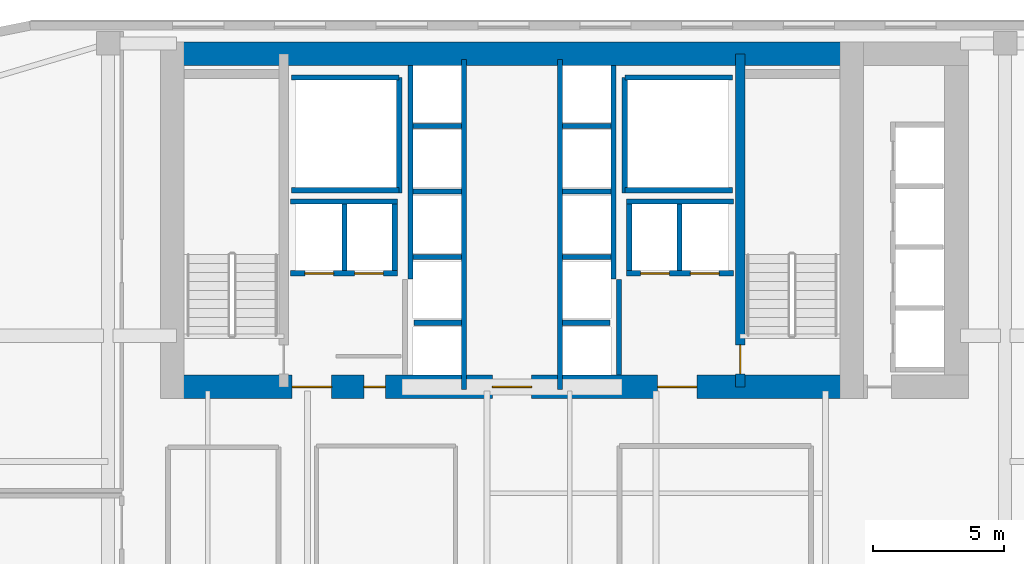
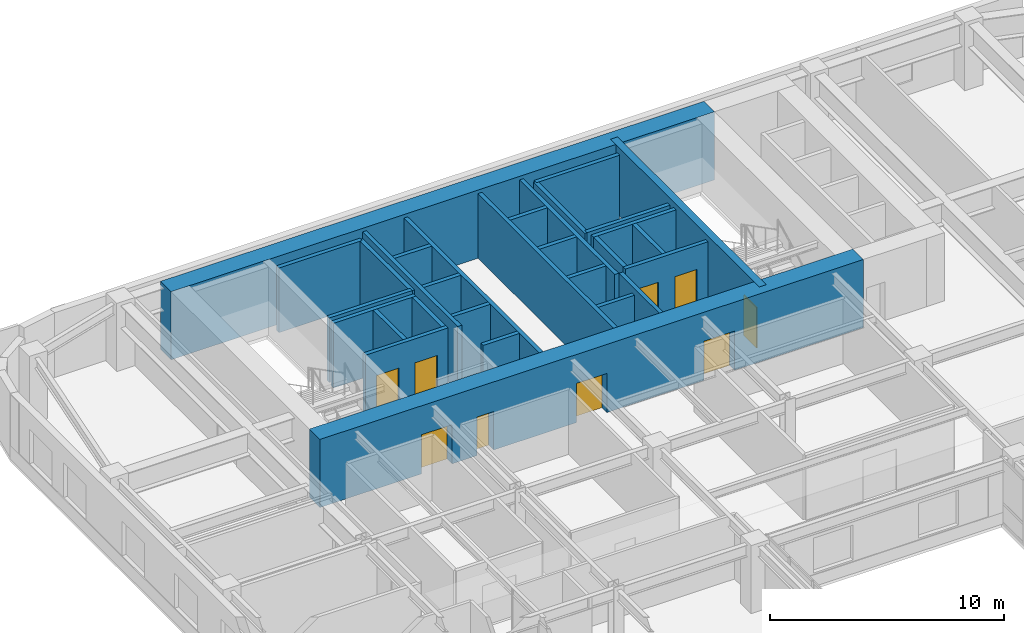
# One storey, part 17 of 24: 30 walls, 9 doors, 9 openings.
"""IFC4 building model written with IfcOpenShell, lengths in metres."""

import ifcopenshell
import ifcopenshell.guid

model = None  # the IFC model being written
_history = None  # IfcOwnerHistory: only IFC2X3 demands one
_inside = {}  # id of a spatial element -> (the spatial element, [elements in it])
_under = {}  # id of a project, library or spatial element -> (it, [spatial elements below it])
_declared = {}  # id of a project -> (the project, [libraries it declares])
_typed = {}  # id of a type object -> (the type object, [elements of that type])
_made_of = {}  # id of a material, layer set ... -> (it, [elements and type objects made of it])


def new_model(schema):
    """Start an empty IFC model of exactly this schema.

    Asked for "IFC4X3", IfcOpenShell would pick the latest addendum, in which some entities
    have other attributes; the version numbers below select the first issue.
    IFC2X3 requires an IfcOwnerHistory on every rooted entity: one is made here for all.
    """
    global model, _history
    if schema == "IFC4X3":
        model = ifcopenshell.file(schema_version=(4, 3, 0, 0))
    else:
        model = ifcopenshell.file(schema=schema)
    _inside.clear()
    _under.clear()
    _declared.clear()
    _typed.clear()
    _made_of.clear()
    _history = None
    if model.schema == "IFC2X3":
        org = make("IfcOrganization", Name="unknown")
        user = make(
            "IfcPersonAndOrganization",
            ThePerson=make("IfcPerson", FamilyName="unknown"),
            TheOrganization=org,
        )
        app = make(
            "IfcApplication",
            ApplicationDeveloper=org,
            Version="unknown",
            ApplicationFullName="unknown",
            ApplicationIdentifier="unknown",
        )
        _history = make(
            "IfcOwnerHistory",
            OwningUser=user,
            OwningApplication=app,
            ChangeAction="ADDED",
            CreationDate=0,
        )
    return model


def make(cls, **values):
    """One entity of the class cls with the attributes given. An attribute that is None is left unset."""
    return model.create_entity(
        cls, **{name: value for name, value in values.items() if value is not None}
    )


def rooted(cls, **values):
    """An entity with a GlobalId (a new one), such as an element, a storey or a relation."""
    return make(cls, GlobalId=ifcopenshell.guid.new(), OwnerHistory=_history, **values)


def si_unit(unit_type, name, prefix=None):
    """IfcSIUnit, for example si_unit("LENGTHUNIT", "METRE", prefix="MILLI")."""
    return make("IfcSIUnit", UnitType=unit_type, Prefix=prefix, Name=name)


def assignment(units):
    """IfcUnitAssignment: the units of a project."""
    return None if units is None else make("IfcUnitAssignment", Units=units)


def point(xyz):
    """IfcCartesianPoint."""
    return None if xyz is None else make("IfcCartesianPoint", Coordinates=xyz)


def direction(xyz):
    """IfcDirection."""
    return None if xyz is None else make("IfcDirection", DirectionRatios=xyz)


def frame(location, z_axis=None, x_axis=None):
    """IfcAxis2Placement3D, a coordinate frame: its origin and axes. An axis left out is left unset."""
    return make(
        "IfcAxis2Placement3D",
        Location=point(location),
        Axis=direction(z_axis),
        RefDirection=direction(x_axis),
    )


def frame_2d(location, x_axis=None):
    """IfcAxis2Placement2D, a coordinate frame in the plane: its origin and x axis."""
    return make(
        "IfcAxis2Placement2D", Location=point(location), RefDirection=direction(x_axis)
    )


def origin():
    """The frame at (0, 0, 0) with its axes left unset."""
    return frame((0.0, 0.0, 0.0))


def place(relative_to, where):
    """IfcLocalPlacement: puts the frame where relative to a parent placement (None: the world)."""
    return make(
        "IfcLocalPlacement", PlacementRelTo=relative_to, RelativePlacement=where
    )


def context(
    kind, dimensions, precision=None, world=None, true_north=None, identifier=None
):
    """IfcGeometricRepresentationContext, for example the 3D "Model" context."""
    return make(
        "IfcGeometricRepresentationContext",
        ContextIdentifier=identifier,
        ContextType=kind,
        CoordinateSpaceDimension=dimensions,
        Precision=precision,
        WorldCoordinateSystem=world,
        TrueNorth=true_north,
    )


def subcontext(parent, identifier, kind, view, scale=None):
    """IfcGeometricRepresentationSubContext, for example "Body" below "Model"."""
    return make(
        "IfcGeometricRepresentationSubContext",
        ContextIdentifier=identifier,
        ContextType=kind,
        ParentContext=parent,
        TargetScale=scale,
        TargetView=view,
    )


def project(units=None, contexts=None):
    """IfcProject with its units and contexts."""
    return rooted(
        "IfcProject",
        Name="project",
        RepresentationContexts=contexts,
        UnitsInContext=assignment(units),
    )


def spatial(cls, under=None, at=None, **own):
    """A site, building, storey or space (cls), placed at a placement, below another one or the project."""
    s = rooted(cls, ObjectPlacement=at, **own)
    if under is not None:
        _under.setdefault(under.id(), (under, []))[1].append(s)
    return s


def profile(cls, at=None, kind="AREA", **sizes):
    """A parametric profile (cls). Its sizes go by their IFC names, for example OverallWidth=200.0."""
    return make(cls, ProfileType=kind, Position=at, **sizes)


def rectangle(**sizes):
    """IfcRectangleProfileDef."""
    return profile("IfcRectangleProfileDef", **sizes)


def extrude(swept, where, along, depth):
    """IfcExtrudedAreaSolid: the profile swept, set in the frame where, extruded along a direction by depth."""
    return make(
        "IfcExtrudedAreaSolid",
        SweptArea=swept,
        Position=where,
        ExtrudedDirection=direction(along),
        Depth=depth,
    )


def shape(context_of_items, identifier, shape_type, items):
    """IfcShapeRepresentation: the items that make up one representation, for example the "Body"."""
    return make(
        "IfcShapeRepresentation",
        ContextOfItems=context_of_items,
        RepresentationIdentifier=identifier,
        RepresentationType=shape_type,
        Items=items,
    )


def source(mapping_origin, context_of_items, identifier, shape_type, items):
    """IfcRepresentationMap: a shape defined once, which mapped items show again and again."""
    return make(
        "IfcRepresentationMap",
        MappingOrigin=mapping_origin,
        MappedRepresentation=shape(context_of_items, identifier, shape_type, items),
    )


def transform(
    local_origin,
    x_axis=None,
    y_axis=None,
    z_axis=None,
    scale=None,
    scale2=None,
    scale3=None,
    uniform=True,
):
    """IfcCartesianTransformationOperator3D, or its non-uniform kind. x_axis, y_axis, z_axis: its Axis1, 2, 3."""
    if uniform:
        return make(
            "IfcCartesianTransformationOperator3D",
            Axis1=direction(x_axis),
            Axis2=direction(y_axis),
            LocalOrigin=point(local_origin),
            Scale=scale,
            Axis3=direction(z_axis),
        )
    return make(
        "IfcCartesianTransformationOperator3DnonUniform",
        Axis1=direction(x_axis),
        Axis2=direction(y_axis),
        LocalOrigin=point(local_origin),
        Scale=scale,
        Axis3=direction(z_axis),
        Scale2=scale2,
        Scale3=scale3,
    )


def mapped(mapping_source, mapping_target):
    """IfcMappedItem: shows the shape of a source again, moved by a transform."""
    return make(
        "IfcMappedItem", MappingSource=mapping_source, MappingTarget=mapping_target
    )


def material(Name=None, Category=None):
    """IfcMaterial."""
    return make("IfcMaterial", Name=Name, Category=Category)


def layer(
    of_material, thickness, ventilated=None, Name=None, Category=None, Priority=None
):
    """IfcMaterialLayer: one layer of a wall or slab, of a material (None: an air gap)."""
    return make(
        "IfcMaterialLayer",
        Material=of_material,
        LayerThickness=thickness,
        IsVentilated=ventilated,
        Name=Name,
        Category=Category,
        Priority=Priority,
    )


def layer_set(layers, Name=None):
    """IfcMaterialLayerSet."""
    return make("IfcMaterialLayerSet", MaterialLayers=layers, LayerSetName=Name)


def made_of(thing, what):
    """Note that an element or type object is made of a material, layer set ...; save() writes the relation."""
    if what is not None:
        _made_of.setdefault(what.id(), (what, []))[1].append(thing)
    return thing


def type_object(cls, material=None, **own):
    """A type object (cls), such as IfcWallType, which elements share."""
    return made_of(rooted(cls, **own), material)


def type_shapes(of_type, sources):
    """Give a type object the sources (RepresentationMaps) that its elements show as mapped items."""
    of_type.RepresentationMaps = sources


def element(
    cls,
    number,
    at=None,
    inside=None,
    cuts=None,
    type_object=None,
    material=None,
    context=None,
    identifier="Body",
    shape_type=None,
    held_by="IfcProductDefinitionShape",
    body=None,
    shapes=None,
    **own,
):
    """One element of the class cls, such as IfcWall. Its Tag is "e" and its number.

    at: its placement. inside: the storey or other place that contains it. cuts: it is an
    opening in that element (IfcRelVoidsElement). A single representation is given by context,
    identifier, shape_type and body (its items); several are given by shapes. held_by: the class
    of the entity that holds the representations. save() writes the other relations.
    """
    e = rooted(cls, Tag="e%d" % number, ObjectPlacement=at, **own)
    if body is not None:
        shapes = [shape(context, identifier, shape_type, body)]
    if shapes is not None:
        e.Representation = make(held_by, Representations=shapes)
    if inside is not None:
        _inside.setdefault(inside.id(), (inside, []))[1].append(e)
    if cuts is not None:
        rooted(
            "IfcRelVoidsElement", RelatingBuildingElement=cuts, RelatedOpeningElement=e
        )
    if type_object is not None:
        _typed.setdefault(type_object.id(), (type_object, []))[1].append(e)
    return made_of(e, material)


def fill(opening, filler):
    """IfcRelFillsElement: the door or window that sits in an opening."""
    return rooted(
        "IfcRelFillsElement",
        RelatingOpeningElement=opening,
        RelatedBuildingElement=filler,
    )


def aggregate(whole, parts):
    """IfcRelAggregates: a whole, such as a stair, and the parts it consists of."""
    return rooted("IfcRelAggregates", RelatingObject=whole, RelatedObjects=parts)


def save(model, path):
    """Write the relations noted so far, then the file.

    IfcRelAggregates (storeys below a building ...), IfcRelContainedInSpatialStructure (elements
    in a storey), IfcRelDefinesByType, IfcRelAssociatesMaterial and IfcRelDeclares: one each for
    every whole, place, type object, material and project.
    """
    for whole, parts in _under.values():
        aggregate(whole, parts)
    for where, things in _inside.values():
        rooted(
            "IfcRelContainedInSpatialStructure",
            RelatedElements=things,
            RelatingStructure=where,
        )
    for kind, things in _typed.values():
        rooted("IfcRelDefinesByType", RelatedObjects=things, RelatingType=kind)
    for what, things in _made_of.values():
        rooted("IfcRelAssociatesMaterial", RelatedObjects=things, RelatingMaterial=what)
    for by, libraries in _declared.values():
        rooted("IfcRelDeclares", RelatingContext=by, RelatedDefinitions=libraries)
    model.write(path)


model = new_model("IFC4")

# Units and contexts
model_context = context("Model", 3, precision=1e-05, world=origin(), true_north=direction((0.0, 1.0)))
body_context = subcontext(model_context, "Body", "Model", "MODEL_VIEW")
ifc_project = project(units=[si_unit("LENGTHUNIT", "METRE"), si_unit("AREAUNIT", "SQUARE_METRE"), si_unit("VOLUMEUNIT", "CUBIC_METRE"), si_unit("PLANEANGLEUNIT", "RADIAN"), si_unit("MASSUNIT", "GRAM", prefix="KILO")], contexts=[model_context])

# Site, building, storey
site_placement = place(None, origin())
site = spatial("IfcSite", under=ifc_project, at=site_placement, CompositionType="ELEMENT")
building_placement = place(site_placement, origin())
building = spatial("IfcBuilding", under=site, at=building_placement, Name="Tolvann Quenvar Hotel", CompositionType="ELEMENT")
storey_placement = place(building_placement, frame((0.0, 0.0, 88.800048828125)))
storey = spatial("IfcBuildingStorey", under=building, at=storey_placement, Name="L22", CompositionType="ELEMENT", Elevation=88.800048828125)

# Wall, openings, doors
ifc_material_1 = material(Name="Concrete S80 (80 MPa)", Category="concrete")
ifc_layer_1 = layer(ifc_material_1, 0.89990234375)
ifc_layer_set_1 = layer_set([ifc_layer_1], Name="Concrete S80 (80 MPa)")
wall_type_1 = type_object("IfcWallType", Name="WALL_CORE_900", PredefinedType="SHEAR", material=ifc_layer_set_1)
wall_1_placement = place(storey_placement, frame((9.60009765625, 32.050048828125, 0.0), z_axis=(0.0, 0.0, 1.0), x_axis=(1.0, 0.0, 0.0)))
wall_1 = element("IfcWall", 1, at=wall_1_placement, inside=storey, type_object=wall_type_1, Name="Rear Core S Shear Wall (L22)", PredefinedType="SHEAR", context=body_context, shape_type="SweptSolid", body=[
    extrude(rectangle(XDim=26.7998046875, YDim=0.89990234375, at=frame_2d((13.39990234375, 0.0))), origin(), (0.0, 0.0, 1.0), 3.550048828125),
])
opening_1_placement = place(wall_1_placement, frame((6.52001953125, 0.0, 0.0), z_axis=(0.0, 0.0, 1.0), x_axis=(-1.0, 0.0, 0.0)))
opening_1 = element("IfcOpeningElement", 2, at=opening_1_placement, cuts=wall_1, Name="Opening FD-60D", PredefinedType="OPENING", context=body_context, shape_type="SweptSolid", body=[
    extrude(rectangle(XDim=1.5, YDim=2.0400390625, at=frame_2d((0.75, 1.02001953125))), frame((0.0, 0.4599609375, 0.0), z_axis=(0.0, -1.0, 0.0), x_axis=(1.0, 0.0, 0.0)), (0.0, 0.0, 1.0), 0.919921875),
])
opening_2_placement = place(wall_1_placement, frame((14.14990234375, 0.0, 0.0), z_axis=(0.0, 0.0, 1.0), x_axis=(-1.0, 0.0, 0.0)))
opening_2 = element("IfcOpeningElement", 3, at=opening_2_placement, cuts=wall_1, Name="Opening FD-60D", PredefinedType="OPENING", context=body_context, shape_type="SweptSolid", body=[
    extrude(rectangle(XDim=1.5, YDim=2.0400390625, at=frame_2d((0.75, 1.02001953125))), frame((0.0, 0.4599609375, 0.0), z_axis=(0.0, -1.0, 0.0), x_axis=(1.0, 0.0, 0.0)), (0.0, 0.0, 1.0), 0.919921875),
])
opening_3_placement = place(wall_1_placement, frame((20.449951171875, 0.0, 0.0), z_axis=(0.0, 0.0, 1.0), x_axis=(-1.0, 0.0, 0.0)))
opening_3 = element("IfcOpeningElement", 4, at=opening_3_placement, cuts=wall_1, Name="Opening FD-60D", PredefinedType="OPENING", context=body_context, shape_type="SweptSolid", body=[
    extrude(rectangle(XDim=1.5, YDim=2.0400390625, at=frame_2d((0.75, 1.02001953125))), frame((0.0, 0.4599609375, 0.0), z_axis=(0.0, -1.0, 0.0), x_axis=(1.0, 0.0, 0.0)), (0.0, 0.0, 1.0), 0.919921875),
])
opening_4_placement = place(wall_1_placement, frame((8.570068359375, 0.0, 0.0), z_axis=(0.0, 0.0, 1.0), x_axis=(-1.0, 0.0, 0.0)))
opening_4 = element("IfcOpeningElement", 5, at=opening_4_placement, cuts=wall_1, Name="Opening HD-02", PredefinedType="OPENING", context=body_context, shape_type="SweptSolid", body=[
    extrude(rectangle(XDim=0.820068359375, YDim=2.010009765625, at=frame_2d((0.41015625, 1.0048828125))), frame((0.0, 0.4599609375, 0.0), z_axis=(0.0, -1.0, 0.0), x_axis=(1.0, 0.0, 0.0)), (0.0, 0.0, 1.0), 0.919921875),
])
ifc_material_2 = material(Name="Solid-core American oak acoustic fire door leaf in steel frame", Category="steel")
door_type_1 = type_object("IfcDoorType", Name="DOOR_FIRE_LOBBY_1500", OperationType="NOTDEFINED", PredefinedType="DOOR", material=ifc_material_2)
shared_shape_1 = source(origin(), body_context, "Body", "SweptSolid", [
    extrude(rectangle(XDim=1.5, YDim=2.0400390625, at=frame_2d((0.75, 1.02001953125))), frame((0.0, 0.02490234375, 0.0), z_axis=(0.0, -1.0, 0.0), x_axis=(1.0, 0.0, 0.0)), (0.0, 0.0, 1.0), 0.050048828125),
])
type_shapes(door_type_1, [shared_shape_1])
door_1_placement = place(opening_1_placement, origin())
door_1 = element("IfcDoor", 6, at=door_1_placement, inside=storey, type_object=door_type_1, Name="Core Lobby Fire Door FFW (L22)", OperationType="DOUBLE_DOOR_SINGLE_SWING", OverallHeight=2.0400390625, OverallWidth=1.5, PredefinedType="DOOR", context=body_context, shape_type="MappedRepresentation", body=[
    mapped(shared_shape_1, transform((0.0, 0.0, 0.0), x_axis=(1.0, 0.0, 0.0), y_axis=(0.0, 1.0, 0.0), z_axis=(0.0, 0.0, 1.0), scale=1.0)),
])
fill(opening_1, door_1)
door_2_placement = place(opening_2_placement, origin())
door_2 = element("IfcDoor", 7, at=door_2_placement, inside=storey, type_object=door_type_1, Name="Core Lobby Fire Door CLOB (L22)", OperationType="DOUBLE_DOOR_SINGLE_SWING", OverallHeight=2.0400390625, OverallWidth=1.5, PredefinedType="DOOR", context=body_context, shape_type="MappedRepresentation", body=[
    mapped(shared_shape_1, transform((0.0, 0.0, 0.0), x_axis=(1.0, 0.0, 0.0), y_axis=(0.0, 1.0, 0.0), z_axis=(0.0, 0.0, 1.0), scale=1.0)),
])
fill(opening_2, door_2)
door_3_placement = place(opening_3_placement, origin())
door_3 = element("IfcDoor", 8, at=door_3_placement, inside=storey, type_object=door_type_1, Name="Core Lobby Fire Door FFE (L22)", OperationType="DOUBLE_DOOR_SINGLE_SWING", OverallHeight=2.0400390625, OverallWidth=1.5, PredefinedType="DOOR", context=body_context, shape_type="MappedRepresentation", body=[
    mapped(shared_shape_1, transform((0.0, 0.0, 0.0), x_axis=(1.0, 0.0, 0.0), y_axis=(0.0, 1.0, 0.0), z_axis=(0.0, 0.0, 1.0), scale=1.0)),
])
fill(opening_3, door_3)
ifc_material_3 = material(Name="Pressed galvanised steel fire-rated door set", Category="steel")
door_type_2 = type_object("IfcDoorType", Name="DOOR_STORE_820", OperationType="NOTDEFINED", PredefinedType="DOOR", material=ifc_material_3)
shared_shape_2 = source(origin(), body_context, "Body", "SweptSolid", [
    extrude(rectangle(XDim=0.820068359375, YDim=2.010009765625, at=frame_2d((0.41015625, 1.0048828125))), frame((0.0, 0.02490234375, 0.0), z_axis=(0.0, -1.0, 0.0), x_axis=(1.0, 0.0, 0.0)), (0.0, 0.0, 1.0), 0.050048828125),
])
type_shapes(door_type_2, [shared_shape_2])
door_4_placement = place(opening_4_placement, origin())
door_4 = element("IfcDoor", 9, at=door_4_placement, inside=storey, type_object=door_type_2, Name="Core Linen Store Fire Door (L22)", OperationType="SINGLE_SWING_RIGHT", OverallHeight=2.010009765625, OverallWidth=0.820068359375, PredefinedType="DOOR", context=body_context, shape_type="MappedRepresentation", body=[
    mapped(shared_shape_2, transform((0.0, 0.0, 0.0), x_axis=(1.0, 0.0, 0.0), y_axis=(0.0, 1.0, 0.0), z_axis=(0.0, 0.0, 1.0), scale=1.0)),
])
fill(opening_4, door_4)

# Wall
wall_2_placement = place(storey_placement, frame((9.60009765625, 44.75, 0.0), z_axis=(0.0, 0.0, 1.0), x_axis=(1.0, 0.0, 0.0)))
element("IfcWall", 10, at=wall_2_placement, inside=storey, type_object=wall_type_1, Name="Rear Core N Shear Wall (L22)", PredefinedType="SHEAR", context=body_context, shape_type="SweptSolid", body=[
    extrude(rectangle(XDim=26.7998046875, YDim=0.89990234375, at=frame_2d((13.39990234375, 0.0))), origin(), (0.0, 0.0, 1.0), 3.550048828125),
])

# Wall, opening, door
ifc_material_4 = material(Name="Concrete S65 (65 MPa)", Category="concrete")
ifc_layer_2 = layer(ifc_material_4, 0.35009765625)
ifc_layer_set_2 = layer_set([ifc_layer_2], Name="Concrete S65 (65 MPa)")
wall_type_2 = type_object("IfcWallType", Name="WALL_CORE_INT_350", PredefinedType="SHEAR", material=ifc_layer_set_2)
wall_3_placement = place(storey_placement, frame((31.699951171875, 32.050048828125, 0.0), z_axis=(0.0, 0.0, 1.0), x_axis=(0.0, 1.0, 0.0)))
wall_3 = element("IfcWall", 11, at=wall_3_placement, inside=storey, type_object=wall_type_2, Name="Core Internal Web Shear Wall WEB-E (L22)", PredefinedType="SHEAR", context=body_context, shape_type="SweptSolid", body=[
    extrude(rectangle(XDim=12.699951171875, YDim=0.35009765625, at=frame_2d((6.35009765625, 0.0))), origin(), (0.0, 0.0, 1.0), 3.550048828125),
])
opening_5_placement = place(wall_3_placement, frame((1.60009765625, 0.0, 0.0), z_axis=(0.0, 0.0, 1.0), x_axis=(-1.0, 0.0, 0.0)))
opening_5 = element("IfcOpeningElement", 12, at=opening_5_placement, cuts=wall_3, Name="Opening FD-120", PredefinedType="OPENING", context=body_context, shape_type="SweptSolid", body=[
    extrude(rectangle(XDim=1.10009765625, YDim=2.1201171875, at=frame_2d((0.550048828125, 1.06005859375))), frame((0.0, 0.18505859375, 0.0), z_axis=(0.0, -1.0, 0.0), x_axis=(1.0, 0.0, 0.0)), (0.0, 0.0, 1.0), 0.3701171875),
])
door_type_3 = type_object("IfcDoorType", Name="DOOR_FIRE_STAIR_1100", OperationType="NOTDEFINED", PredefinedType="DOOR", material=ifc_material_3)
shared_shape_3 = source(origin(), body_context, "Body", "SweptSolid", [
    extrude(rectangle(XDim=1.10009765625, YDim=2.1201171875, at=frame_2d((0.550048828125, 1.06005859375))), frame((0.0, 0.02490234375, 0.0), z_axis=(0.0, -1.0, 0.0), x_axis=(1.0, 0.0, 0.0)), (0.0, 0.0, 1.0), 0.050048828125),
])
type_shapes(door_type_3, [shared_shape_3])
door_5_placement = place(opening_5_placement, origin())
door_5 = element("IfcDoor", 13, at=door_5_placement, inside=storey, type_object=door_type_3, Name="Exit Stair ST-C2 Fire Door (L22)", OperationType="SINGLE_SWING_LEFT", OverallHeight=2.1201171875, OverallWidth=1.10009765625, PredefinedType="DOOR", context=body_context, shape_type="MappedRepresentation", body=[
    mapped(shared_shape_3, transform((0.0, 0.0, 0.0), x_axis=(1.0, 0.0, 0.0), y_axis=(0.0, 1.0, 0.0), z_axis=(0.0, 0.0, 1.0), scale=1.0)),
])
fill(opening_5, door_5)

# Walls
ifc_material_5 = material(Name="Concrete N40 (40 MPa)", Category="concrete")
ifc_layer_3 = layer(ifc_material_5, 0.199951171875)
ifc_layer_set_3 = layer_set([ifc_layer_3], Name="Concrete N40 (40 MPa)")
wall_type_3 = type_object("IfcWallType", Name="WALL_SHAFT_200", PredefinedType="SOLIDWALL", material=ifc_layer_set_3)
wall_4_placement = place(storey_placement, frame((18.699951171875, 39.449951171875, 0.0), z_axis=(0.0, 0.0, 1.0), x_axis=(0.0, 1.0, 0.0)))
element("IfcWall", 14, at=wall_4_placement, inside=storey, type_object=wall_type_3, Name="Service Riser W Shaft Wall IN (L22)", PredefinedType="SOLIDWALL", context=body_context, shape_type="SweptSolid", body=[
    extrude(rectangle(XDim=4.400146484375, YDim=0.199951171875, at=frame_2d((2.2001953125, 0.0))), origin(), (0.0, 0.0, 1.0), 3.369873046875),
])
for number, where, z_axis, x_axis, name in (
    (15, (14.60009765625, 39.550048828125, 0.0), (0.0, 0.0, 1.0), (1.0, 0.0, 0.0), "Service Riser W Shaft Wall S (L22)"),
    (16, (14.60009765625, 43.85009765625, 0.0), (0.0, 0.0, 1.0), (1.0, 0.0, 0.0), "Service Riser W Shaft Wall N (L22)"),
):
    element("IfcWall", number, at=place(storey_placement, frame(where, z_axis=z_axis, x_axis=x_axis)), inside=storey, type_object=wall_type_3, Name=name, PredefinedType="SOLIDWALL", context=body_context, shape_type="SweptSolid", body=[
        extrude(rectangle(XDim=4.099853515625, YDim=0.199951171875, at=frame_2d((2.0498046875, 0.0))), origin(), (0.0, 0.0, 1.0), 3.369873046875),
    ])
wall_5_placement = place(storey_placement, frame((27.300048828125, 39.449951171875, 0.0), z_axis=(0.0, 0.0, 1.0), x_axis=(0.0, 1.0, 0.0)))
element("IfcWall", 17, at=wall_5_placement, inside=storey, type_object=wall_type_3, Name="Service Riser E Shaft Wall IN (L22)", PredefinedType="SOLIDWALL", context=body_context, shape_type="SweptSolid", body=[
    extrude(rectangle(XDim=4.400146484375, YDim=0.199951171875, at=frame_2d((2.2001953125, 0.0))), origin(), (0.0, 0.0, 1.0), 3.369873046875),
])
for number, where, z_axis, x_axis, name in (
    (18, (27.300048828125, 39.550048828125, 0.0), (0.0, 0.0, 1.0), (1.0, 0.0, 0.0), "Service Riser E Shaft Wall S (L22)"),
    (19, (27.300048828125, 43.85009765625, 0.0), (0.0, 0.0, 1.0), (1.0, 0.0, 0.0), "Service Riser E Shaft Wall N (L22)"),
):
    element("IfcWall", number, at=place(storey_placement, frame(where, z_axis=z_axis, x_axis=x_axis)), inside=storey, type_object=wall_type_3, Name=name, PredefinedType="SOLIDWALL", context=body_context, shape_type="SweptSolid", body=[
        extrude(rectangle(XDim=4.099853515625, YDim=0.199951171875, at=frame_2d((2.0498046875, 0.0))), origin(), (0.0, 0.0, 1.0), 3.369873046875),
    ])
wall_6_placement = place(storey_placement, frame((27.080078125, 32.50390625, 0.0), z_axis=(0.0, 0.0, 1.0), x_axis=(0.0, 1.0, 0.0)))
element("IfcWall", 20, at=wall_6_placement, inside=storey, type_object=wall_type_3, Name="Firefighting Lobby E Inner Fire Wall (L22)", PredefinedType="SOLIDWALL", context=body_context, shape_type="SweptSolid", body=[
    extrude(rectangle(XDim=3.64599609375, YDim=0.199951171875, at=frame_2d((1.822998046875, 0.0))), origin(), (0.0, 0.0, 1.0), 3.369873046875),
])
wall_7_placement = place(storey_placement, frame((21.169921875, 31.9599609375, 0.0), z_axis=(0.0, 0.0, 1.0), x_axis=(0.0, 1.0, 0.0)))
element("IfcWall", 21, at=wall_7_placement, inside=storey, type_object=wall_type_3, Name="Lift Bank E21.1C1 Hoistway Front Wall (L22)", PredefinedType="SOLIDWALL", context=body_context, shape_type="SweptSolid", body=[
    extrude(rectangle(XDim=12.580078125, YDim=0.199951171875, at=frame_2d((6.2900390625, 0.0))), origin(), (0.0, 0.0, 1.0), 3.369873046875),
])
wall_8_placement = place(storey_placement, frame((19.1298828125, 36.159912109375, 0.0), z_axis=(0.0, 0.0, 1.0), x_axis=(0.0, 1.0, 0.0)))
element("IfcWall", 22, at=wall_8_placement, inside=storey, type_object=wall_type_3, Name="Lift Bank E21.1C1 Hoistway Rear Wall (L22)", PredefinedType="SOLIDWALL", context=body_context, shape_type="SweptSolid", body=[
    extrude(rectangle(XDim=8.135986328125, YDim=0.199951171875, at=frame_2d((4.06787109375, 0.0))), origin(), (0.0, 0.0, 1.0), 3.369873046875),
])
wall_9_placement = place(storey_placement, frame((19.27001953125, 34.5, 0.0), z_axis=(0.0, 0.0, 1.0), x_axis=(1.0, 0.0, 0.0)))
element("IfcWall", 23, at=wall_9_placement, inside=storey, type_object=wall_type_3, Name="Lift Bank E21.1C1 Divider Wall 1 (L22)", PredefinedType="SOLIDWALL", context=body_context, shape_type="SweptSolid", body=[
    extrude(rectangle(XDim=1.800048828125, YDim=0.199951171875, at=frame_2d((0.89990234375, 0.0))), origin(), (0.0, 0.0, 1.0), 3.369873046875),
])
for number, where, z_axis, x_axis, name in (
    (24, (19.22998046875, 37.0, 0.0), (0.0, 0.0, 1.0), (1.0, 0.0, 0.0), "Lift Bank E21.1C1 Divider Wall 2 (L22)"),
    (25, (19.22998046875, 39.5, 0.0), (0.0, 0.0, 1.0), (1.0, 0.0, 0.0), "Lift Bank E21.1C1 Divider Wall 3 (L22)"),
    (26, (19.22998046875, 42.0, 0.0), (0.0, 0.0, 1.0), (1.0, 0.0, 0.0), "Lift Bank E21.1C1 Divider Wall 4 (L22)"),
):
    element("IfcWall", number, at=place(storey_placement, frame(where, z_axis=z_axis, x_axis=x_axis)), inside=storey, type_object=wall_type_3, Name=name, PredefinedType="SOLIDWALL", context=body_context, shape_type="SweptSolid", body=[
        extrude(rectangle(XDim=1.840087890625, YDim=0.199951171875, at=frame_2d((0.919921875, 0.0))), origin(), (0.0, 0.0, 1.0), 3.369873046875),
    ])

# Wall, openings, doors
wall_10_placement = place(storey_placement, frame((27.375, 36.3798828125, 0.0), z_axis=(0.0, 0.0, 1.0), x_axis=(1.0, 0.0, 0.0)))
wall_10 = element("IfcWall", 27, at=wall_10_placement, inside=storey, type_object=wall_type_3, Name="Lift Bank SEC1 Hoistway Front Wall (L22)", PredefinedType="SOLIDWALL", context=body_context, shape_type="SweptSolid", body=[
    extrude(rectangle(XDim=4.074951171875, YDim=0.199951171875, at=frame_2d((2.03759765625, 0.0))), origin(), (0.0, 0.0, 1.0), 3.369873046875),
])
opening_6_placement = place(wall_10_placement, frame((0.52490234375, 0.0, 0.0)))
opening_6 = element("IfcOpeningElement", 28, at=opening_6_placement, cuts=wall_10, Name="Opening LD-01", PredefinedType="OPENING", context=body_context, shape_type="SweptSolid", body=[
    extrude(rectangle(XDim=1.10009765625, YDim=2.1201171875, at=frame_2d((0.550048828125, 1.06005859375))), frame((0.0, 0.10986328125, 0.0), z_axis=(0.0, -1.0, 0.0), x_axis=(1.0, 0.0, 0.0)), (0.0, 0.0, 1.0), 0.219970703125),
])
opening_7_placement = place(wall_10_placement, frame((2.425048828125, 0.0, 0.0)))
opening_7 = element("IfcOpeningElement", 29, at=opening_7_placement, cuts=wall_10, Name="Opening LD-01", PredefinedType="OPENING", context=body_context, shape_type="SweptSolid", body=[
    extrude(rectangle(XDim=1.10009765625, YDim=2.1201171875, at=frame_2d((0.550048828125, 1.06005859375))), frame((0.0, 0.10986328125, 0.0), z_axis=(0.0, -1.0, 0.0), x_axis=(1.0, 0.0, 0.0)), (0.0, 0.0, 1.0), 0.219970703125),
])
ifc_material_6 = material(Name="Brushed 316 stainless steel automatic sliding lift landing door", Category="steel")
door_type_4 = type_object("IfcDoorType", Name="DOOR_LIFT_SLIDE_1100", OperationType="NOTDEFINED", PredefinedType="DOOR", material=ifc_material_6)
shared_shape_4 = source(origin(), body_context, "Body", "SweptSolid", [
    extrude(rectangle(XDim=1.10009765625, YDim=2.1201171875, at=frame_2d((0.550048828125, 1.06005859375))), frame((0.0, 0.02490234375, 0.0), z_axis=(0.0, -1.0, 0.0), x_axis=(1.0, 0.0, 0.0)), (0.0, 0.0, 1.0), 0.050048828125),
])
type_shapes(door_type_4, [shared_shape_4])
door_6_placement = place(opening_6_placement, origin())
door_6 = element("IfcDoor", 30, at=door_6_placement, inside=storey, type_object=door_type_4, Name="Lift SV-2 Sliding Landing Door (L22)", OperationType="SLIDING_TO_LEFT", OverallHeight=2.1201171875, OverallWidth=1.10009765625, PredefinedType="DOOR", context=body_context, shape_type="MappedRepresentation", body=[
    mapped(shared_shape_4, transform((0.0, 0.0, 0.0), x_axis=(1.0, 0.0, 0.0), y_axis=(0.0, 1.0, 0.0), z_axis=(0.0, 0.0, 1.0), scale=1.0)),
])
fill(opening_6, door_6)
door_7_placement = place(opening_7_placement, origin())
door_7 = element("IfcDoor", 31, at=door_7_placement, inside=storey, type_object=door_type_4, Name="Lift FF-2 Sliding Landing Door (L22)", OperationType="SLIDING_TO_RIGHT", OverallHeight=2.1201171875, OverallWidth=1.10009765625, PredefinedType="DOOR", context=body_context, shape_type="MappedRepresentation", body=[
    mapped(shared_shape_4, transform((0.0, 0.0, 0.0), x_axis=(1.0, 0.0, 0.0), y_axis=(0.0, 1.0, 0.0), z_axis=(0.0, 0.0, 1.0), scale=1.0)),
])
fill(opening_7, door_7)

# Walls
wall_11_placement = place(storey_placement, frame((27.375, 39.1201171875, 0.0), z_axis=(0.0, 0.0, 1.0), x_axis=(1.0, 0.0, 0.0)))
element("IfcWall", 32, at=wall_11_placement, inside=storey, type_object=wall_type_3, Name="Lift Bank SEC1 Hoistway Rear Wall (L22)", PredefinedType="SOLIDWALL", context=body_context, shape_type="SweptSolid", body=[
    extrude(rectangle(XDim=4.074951171875, YDim=0.199951171875, at=frame_2d((2.03759765625, 0.0))), origin(), (0.0, 0.0, 1.0), 3.369873046875),
])
for number, where, z_axis, x_axis, name in (
    (33, (27.47509765625, 36.47998046875, 0.0), (0.0, 0.0, 1.0), (0.0, 1.0, 0.0), "Lift Bank SEC1 Hoistway Cheek Wall 1 (L22)"),
    (34, (29.387451171875, 36.47998046875, 0.0), (0.0, 0.0, 1.0), (0.0, 1.0, 0.0), "Lift Bank SEC1 Divider Wall 1 (L22)"),
):
    element("IfcWall", number, at=place(storey_placement, frame(where, z_axis=z_axis, x_axis=x_axis)), inside=storey, type_object=wall_type_3, Name=name, PredefinedType="SOLIDWALL", context=body_context, shape_type="SweptSolid", body=[
        extrude(rectangle(XDim=2.5400390625, YDim=0.199951171875, at=frame_2d((1.27001953125, 0.0))), origin(), (0.0, 0.0, 1.0), 3.369873046875),
    ])

# Wall, openings, doors
wall_12_placement = place(storey_placement, frame((14.550048828125, 36.3798828125, 0.0), z_axis=(0.0, 0.0, 1.0), x_axis=(1.0, 0.0, 0.0)))
wall_12 = element("IfcWall", 35, at=wall_12_placement, inside=storey, type_object=wall_type_3, Name="Lift Bank SWC1 Hoistway Front Wall (L22)", PredefinedType="SOLIDWALL", context=body_context, shape_type="SweptSolid", body=[
    extrude(rectangle(XDim=4.074951171875, YDim=0.199951171875, at=frame_2d((2.03759765625, 0.0))), origin(), (0.0, 0.0, 1.0), 3.369873046875),
])
opening_8_placement = place(wall_12_placement, frame((0.550048828125, 0.0, 0.0)))
opening_8 = element("IfcOpeningElement", 36, at=opening_8_placement, cuts=wall_12, Name="Opening LD-01", PredefinedType="OPENING", context=body_context, shape_type="SweptSolid", body=[
    extrude(rectangle(XDim=1.10009765625, YDim=2.1201171875, at=frame_2d((0.550048828125, 1.06005859375))), frame((0.0, 0.10986328125, 0.0), z_axis=(0.0, -1.0, 0.0), x_axis=(1.0, 0.0, 0.0)), (0.0, 0.0, 1.0), 0.219970703125),
])
opening_9_placement = place(wall_12_placement, frame((2.449951171875, 0.0, 0.0)))
opening_9 = element("IfcOpeningElement", 37, at=opening_9_placement, cuts=wall_12, Name="Opening LD-01", PredefinedType="OPENING", context=body_context, shape_type="SweptSolid", body=[
    extrude(rectangle(XDim=1.10009765625, YDim=2.1201171875, at=frame_2d((0.550048828125, 1.06005859375))), frame((0.0, 0.10986328125, 0.0), z_axis=(0.0, -1.0, 0.0), x_axis=(1.0, 0.0, 0.0)), (0.0, 0.0, 1.0), 0.219970703125),
])
door_8_placement = place(opening_8_placement, origin())
door_8 = element("IfcDoor", 38, at=door_8_placement, inside=storey, type_object=door_type_4, Name="Lift FF-1 Sliding Landing Door (L22)", OperationType="SLIDING_TO_LEFT", OverallHeight=2.1201171875, OverallWidth=1.10009765625, PredefinedType="DOOR", context=body_context, shape_type="MappedRepresentation", body=[
    mapped(shared_shape_4, transform((0.0, 0.0, 0.0), x_axis=(1.0, 0.0, 0.0), y_axis=(0.0, 1.0, 0.0), z_axis=(0.0, 0.0, 1.0), scale=1.0)),
])
fill(opening_8, door_8)
door_9_placement = place(opening_9_placement, origin())
door_9 = element("IfcDoor", 39, at=door_9_placement, inside=storey, type_object=door_type_4, Name="Lift SV-1 Sliding Landing Door (L22)", OperationType="SLIDING_TO_RIGHT", OverallHeight=2.1201171875, OverallWidth=1.10009765625, PredefinedType="DOOR", context=body_context, shape_type="MappedRepresentation", body=[
    mapped(shared_shape_4, transform((0.0, 0.0, 0.0), x_axis=(1.0, 0.0, 0.0), y_axis=(0.0, 1.0, 0.0), z_axis=(0.0, 0.0, 1.0), scale=1.0)),
])
fill(opening_9, door_9)

# Walls
wall_13_placement = place(storey_placement, frame((14.550048828125, 39.1201171875, 0.0), z_axis=(0.0, 0.0, 1.0), x_axis=(1.0, 0.0, 0.0)))
element("IfcWall", 40, at=wall_13_placement, inside=storey, type_object=wall_type_3, Name="Lift Bank SWC1 Hoistway Rear Wall (L22)", PredefinedType="SOLIDWALL", context=body_context, shape_type="SweptSolid", body=[
    extrude(rectangle(XDim=4.074951171875, YDim=0.199951171875, at=frame_2d((2.03759765625, 0.0))), origin(), (0.0, 0.0, 1.0), 3.369873046875),
])
for number, where, z_axis, x_axis, name in (
    (41, (18.52490234375, 36.47998046875, 0.0), (0.0, 0.0, 1.0), (0.0, 1.0, 0.0), "Lift Bank SWC1 Hoistway Cheek Wall 2 (L22)"),
    (42, (16.612548828125, 36.47998046875, 0.0), (0.0, 0.0, 1.0), (0.0, 1.0, 0.0), "Lift Bank SWC1 Divider Wall 1 (L22)"),
):
    element("IfcWall", number, at=place(storey_placement, frame(where, z_axis=z_axis, x_axis=x_axis)), inside=storey, type_object=wall_type_3, Name=name, PredefinedType="SOLIDWALL", context=body_context, shape_type="SweptSolid", body=[
        extrude(rectangle(XDim=2.5400390625, YDim=0.199951171875, at=frame_2d((1.27001953125, 0.0))), origin(), (0.0, 0.0, 1.0), 3.369873046875),
    ])
wall_14_placement = place(storey_placement, frame((24.830078125, 31.9599609375, 0.0), z_axis=(0.0, 0.0, 1.0), x_axis=(0.0, 1.0, 0.0)))
element("IfcWall", 43, at=wall_14_placement, inside=storey, type_object=wall_type_3, Name="Lift Bank W24.9C1 Hoistway Front Wall (L22)", PredefinedType="SOLIDWALL", context=body_context, shape_type="SweptSolid", body=[
    extrude(rectangle(XDim=12.580078125, YDim=0.199951171875, at=frame_2d((6.2900390625, 0.0))), origin(), (0.0, 0.0, 1.0), 3.369873046875),
])
wall_15_placement = place(storey_placement, frame((26.8701171875, 36.159912109375, 0.0), z_axis=(0.0, 0.0, 1.0), x_axis=(0.0, 1.0, 0.0)))
element("IfcWall", 44, at=wall_15_placement, inside=storey, type_object=wall_type_3, Name="Lift Bank W24.9C1 Hoistway Rear Wall (L22)", PredefinedType="SOLIDWALL", context=body_context, shape_type="SweptSolid", body=[
    extrude(rectangle(XDim=8.135986328125, YDim=0.199951171875, at=frame_2d((4.06787109375, 0.0))), origin(), (0.0, 0.0, 1.0), 3.369873046875),
])
wall_16_placement = place(storey_placement, frame((24.929931640625, 34.5, 0.0), z_axis=(0.0, 0.0, 1.0), x_axis=(1.0, 0.0, 0.0)))
element("IfcWall", 45, at=wall_16_placement, inside=storey, type_object=wall_type_3, Name="Lift Bank W24.9C1 Divider Wall 1 (L22)", PredefinedType="SOLIDWALL", context=body_context, shape_type="SweptSolid", body=[
    extrude(rectangle(XDim=1.800048828125, YDim=0.199951171875, at=frame_2d((0.89990234375, 0.0))), origin(), (0.0, 0.0, 1.0), 3.369873046875),
])
for number, where, z_axis, x_axis, name in (
    (46, (24.929931640625, 37.0, 0.0), (0.0, 0.0, 1.0), (1.0, 0.0, 0.0), "Lift Bank W24.9C1 Divider Wall 2 (L22)"),
    (47, (24.929931640625, 39.5, 0.0), (0.0, 0.0, 1.0), (1.0, 0.0, 0.0), "Lift Bank W24.9C1 Divider Wall 3 (L22)"),
    (48, (24.929931640625, 42.0, 0.0), (0.0, 0.0, 1.0), (1.0, 0.0, 0.0), "Lift Bank W24.9C1 Divider Wall 4 (L22)"),
):
    element("IfcWall", number, at=place(storey_placement, frame(where, z_axis=z_axis, x_axis=x_axis)), inside=storey, type_object=wall_type_3, Name=name, PredefinedType="SOLIDWALL", context=body_context, shape_type="SweptSolid", body=[
        extrude(rectangle(XDim=1.840087890625, YDim=0.199951171875, at=frame_2d((0.919921875, 0.0))), origin(), (0.0, 0.0, 1.0), 3.369873046875),
    ])

save(model, "model.ifc")
